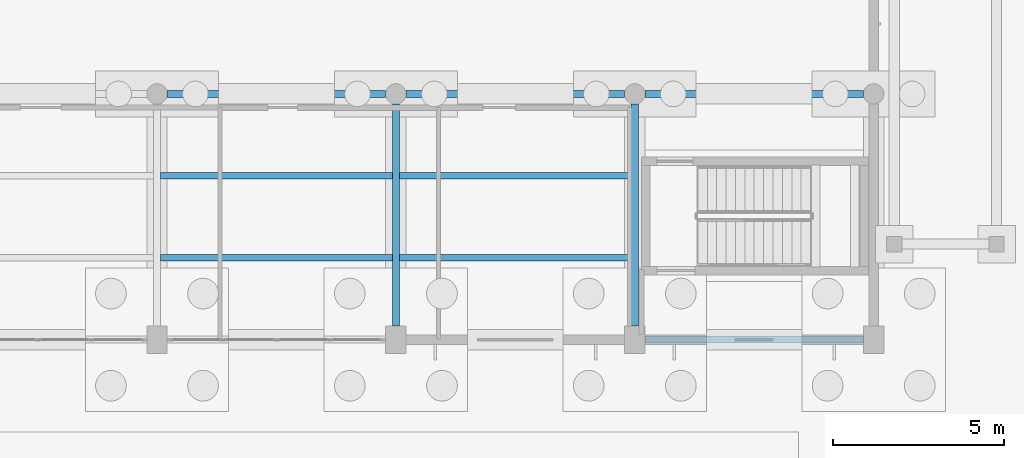
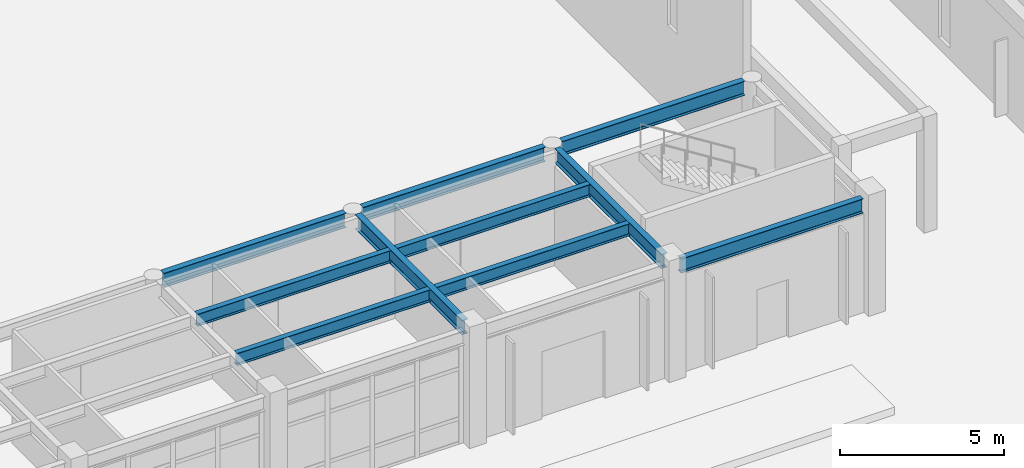
# One storey, part 19 of 154: 10 beams.
"""IFC4 building model written with IfcOpenShell, lengths in metres."""

from ifc_helpers import new_model, si_unit, direction, frame, origin, origin_2d, place, context, subcontext, project, spatial, i_section, extrude, material, material_profile, profile_set, type_object, element, save


model = new_model("IFC4")

# Units and contexts
model_context = context("Model", 3, precision=1e-05, world=origin(), true_north=direction((0.0, 1.0)))
body_context = subcontext(model_context, "Body", "Model", "MODEL_VIEW")
ifc_project = project(units=[si_unit("LENGTHUNIT", "METRE"), si_unit("AREAUNIT", "SQUARE_METRE"), si_unit("VOLUMEUNIT", "CUBIC_METRE"), si_unit("PLANEANGLEUNIT", "RADIAN"), si_unit("MASSUNIT", "GRAM", prefix="KILO")], contexts=[model_context])

# Site, building, storey
site_placement = place(None, origin())
site = spatial("IfcSite", under=ifc_project, at=site_placement, CompositionType="ELEMENT")
building_placement = place(site_placement, origin())
building = spatial("IfcBuilding", under=site, at=building_placement, Name="Kestramere Prow Commons", CompositionType="ELEMENT")
storey_placement = place(building_placement, origin())
storey = spatial("IfcBuildingStorey", under=building, at=storey_placement, Name="L00", CompositionType="ELEMENT", Elevation=0.0)

# Beams
ifc_material = material(Name="Steel S355JR", Category="steel")
ifc_material_profile_1 = material_profile(ifc_material, i_section(OverallWidth=0.209228515625, OverallDepth=0.533203125, WebThickness=0.010009765625, FlangeThickness=0.015625, FilletRadius=0.0126953125, at=origin_2d()), Name="UB 533x210x92")
ifc_profile_set_1 = profile_set([ifc_material_profile_1], Name="Steel S355JR")
beam_type_1 = type_object("IfcBeamType", Name="BM-HL-GAL UB 533x210x92", PredefinedType="BEAM", material=ifc_profile_set_1)
for number, where, z_axis, x_axis, name in (
    (1, (30.5, 14.699951171875, 3.933349609375), (1.0, 0.0, 0.0), (0.0, 1.0, 0.0), "Hall Gallery Edge Girder 5"),
    (2, (37.5, 14.699951171875, 3.933349609375), (1.0, 0.0, 0.0), (0.0, 1.0, 0.0), "Hall Gallery Edge Girder 6"),
    (3, (44.5, 14.699951171875, 3.933349609375), (1.0, 0.0, 0.0), (0.0, 1.0, 0.0), "Hall Gallery Edge Girder 7"),
):
    element("IfcBeam", number, at=place(storey_placement, frame(where, z_axis=z_axis, x_axis=x_axis)), inside=storey, type_object=beam_type_1, Name=name, PredefinedType="BEAM", context=body_context, shape_type="SweptSolid", body=[
        extrude(i_section(OverallWidth=0.209228515625, OverallDepth=0.533203125, WebThickness=0.010009765625, FlangeThickness=0.015625, FilletRadius=0.0126953125, at=origin_2d()), origin(), (0.0, 0.0, 1.0), 6.39990234375),
    ])
for number, where, z_axis, x_axis, name in (
    (4, (37.199951171875, 7.89990234375, 3.933349609375), (0.0, 1.0, 0.0), (-1.0, 0.0, 0.0), "Hall Gallery Cross-Beam 6"),
    (5, (44.199951171875, 7.89990234375, 3.933349609375), (0.0, 1.0, 0.0), (-1.0, 0.0, 0.0), "Hall Gallery Cross-Beam 7"),
):
    element("IfcBeam", number, at=place(storey_placement, frame(where, z_axis=z_axis, x_axis=x_axis)), inside=storey, type_object=beam_type_1, Name=name, PredefinedType="BEAM", context=body_context, shape_type="SweptSolid", body=[
        extrude(i_section(OverallWidth=0.209228515625, OverallDepth=0.533203125, WebThickness=0.010009765625, FlangeThickness=0.015625, FilletRadius=0.0126953125, at=origin_2d()), origin(), (0.0, 0.0, 1.0), 6.5),
    ])
ifc_material_profile_2 = material_profile(ifc_material, i_section(OverallWidth=0.209228515625, OverallDepth=0.533203125, WebThickness=0.010009765625, FlangeThickness=0.015625, FilletRadius=0.0126953125, at=origin_2d()), Name="UB 533x210x92")
ifc_profile_set_2 = profile_set([ifc_material_profile_2], Name="Steel S355JR")
beam_type_2 = type_object("IfcBeamType", Name="BM-HL-GAL UB 533x210x92 (EX)", PredefinedType="BEAM", material=ifc_profile_set_2)
beam_placement = place(storey_placement, frame((44.5, 7.5, 3.933349609375), z_axis=(1.0, 0.0, 0.0), x_axis=(0.0, 1.0, 0.0)))
element("IfcBeam", 6, at=beam_placement, inside=storey, type_object=beam_type_2, Name="Hall South Girder 7", PredefinedType="BEAM", context=body_context, shape_type="SweptSolid", body=[
    extrude(i_section(OverallWidth=0.209228515625, OverallDepth=0.533203125, WebThickness=0.010009765625, FlangeThickness=0.015625, FilletRadius=0.0126953125, at=origin_2d()), origin(), (0.0, 0.0, 1.0), 6.39990234375),
])
ifc_material_profile_3 = material_profile(ifc_material, i_section(OverallWidth=0.1904296875, OverallDepth=0.45703125, WebThickness=0.009033203125, FlangeThickness=0.014404296875, FilletRadius=0.01025390625, at=origin_2d()), Name="UB 457x191x74")
ifc_profile_set_3 = profile_set([ifc_material_profile_3], Name="Steel S355JR")
beam_type_3 = type_object("IfcBeamType", Name="JST-HL-01 UB 457x191x74", PredefinedType="JOIST", material=ifc_profile_set_3)
for number, where, z_axis, x_axis, name in (
    (7, (30.3046875, 9.89990234375, 3.971435546875), (1.0, 0.0, 0.0), (0.0, 1.0, 0.0), "Hall Gallery Joist 5-2"),
    (8, (30.3046875, 12.300048828125, 3.971435546875), (1.0, 0.0, 0.0), (0.0, 1.0, 0.0), "Hall Gallery Joist 5-4"),
    (9, (37.3046875, 9.89990234375, 3.971435546875), (1.0, 0.0, 0.0), (0.0, 1.0, 0.0), "Hall Gallery Joist 6-2"),
    (10, (37.3046875, 12.300048828125, 3.971435546875), (1.0, 0.0, 0.0), (0.0, 1.0, 0.0), "Hall Gallery Joist 6-4"),
):
    element("IfcBeam", number, at=place(storey_placement, frame(where, z_axis=z_axis, x_axis=x_axis)), inside=storey, type_object=beam_type_3, Name=name, PredefinedType="JOIST", context=body_context, shape_type="SweptSolid", body=[
        extrude(i_section(OverallWidth=0.1904296875, OverallDepth=0.45703125, WebThickness=0.009033203125, FlangeThickness=0.014404296875, FilletRadius=0.01025390625, at=origin_2d()), origin(), (0.0, 0.0, 1.0), 6.790771484375),
    ])

save(model, "model.ifc")
